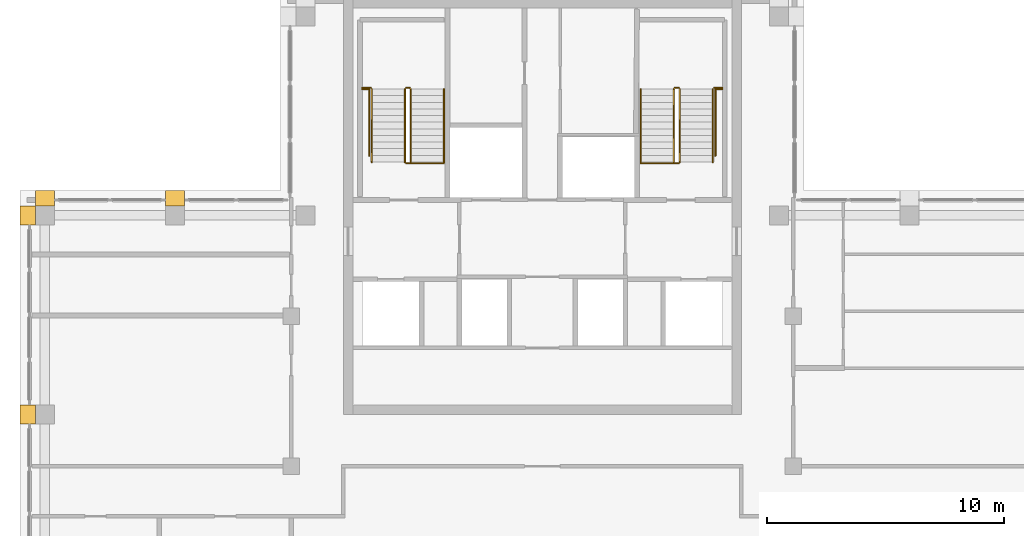
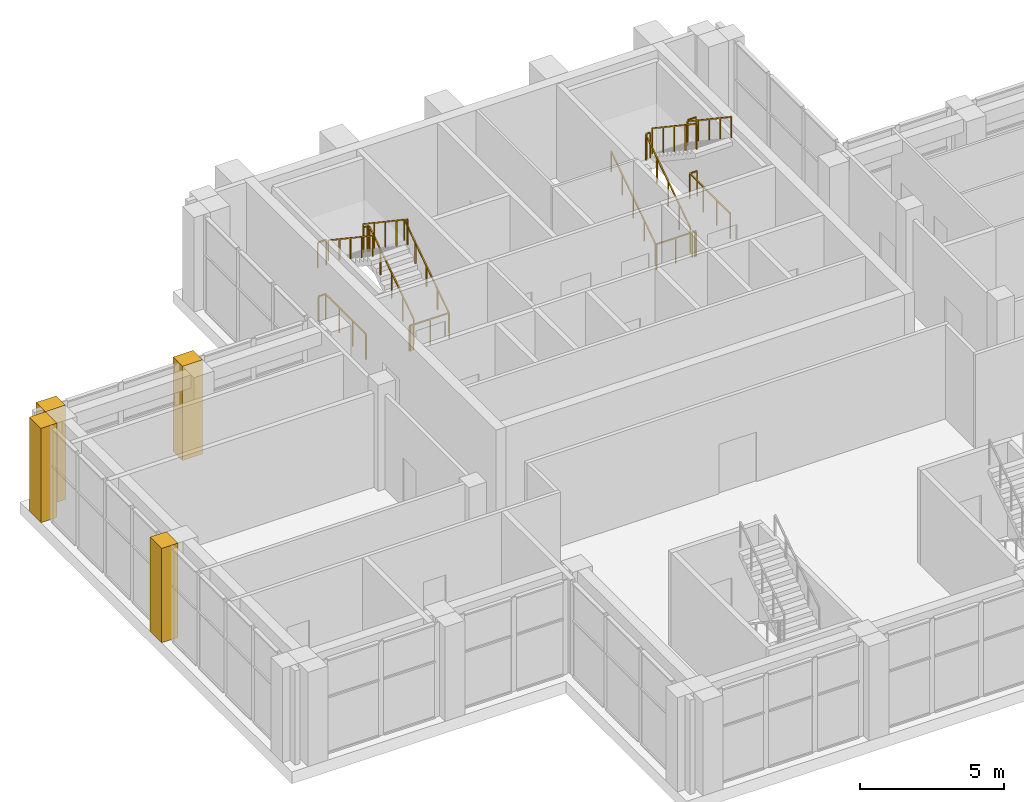
# One storey, part 13 of 14: 16 railings, 4 coverings.
"""IFC4 building model written with IfcOpenShell, lengths in metres."""

from ifc_helpers import new_model, si_unit, direction, frame, origin, origin_2d, place, context, subcontext, project, spatial, polyline, rectangle, outline, extrude, material, type_object, element, save


model = new_model("IFC4")

# Units and contexts
model_context = context("Model", 3, precision=1e-05, world=origin(), true_north=direction((0.0, 1.0)))
body_context = subcontext(model_context, "Body", "Model", "MODEL_VIEW")
ifc_project = project(units=[si_unit("LENGTHUNIT", "METRE"), si_unit("AREAUNIT", "SQUARE_METRE"), si_unit("VOLUMEUNIT", "CUBIC_METRE"), si_unit("PLANEANGLEUNIT", "RADIAN"), si_unit("MASSUNIT", "GRAM", prefix="KILO")], contexts=[model_context])

# Site, building, storey
site_placement = place(None, origin())
site = spatial("IfcSite", under=ifc_project, at=site_placement, CompositionType="ELEMENT")
building_placement = place(site_placement, origin())
building = spatial("IfcBuilding", under=site, at=building_placement, Name="Vermilion Ogive Tower", CompositionType="ELEMENT")
storey_placement = place(building_placement, frame((0.0, 0.0, 273.85009765625)))
storey = spatial("IfcBuildingStorey", under=building, at=storey_placement, Name="L72", CompositionType="ELEMENT", Elevation=273.85009765625)

# Railings
ifc_material_1 = material(Name="Steel S355 painted", Category="steel")
railing_type_1 = type_object("IfcRailingType", Name="Stair guard 1100", PredefinedType="GUARDRAIL", material=ifc_material_1)
railing_1_placement = place(storey_placement, frame((-5.550048828125, 14.85009765625, 0.1875)))
element("IfcRailing", 1, at=railing_1_placement, inside=storey, type_object=railing_type_1, Name="L72 ST1 stair guard 1", PredefinedType="GUARDRAIL", context=body_context, shape_type="SweptSolid", body=[
    extrude(rectangle(XDim=0.048095703125, YDim=0.048095703125, at=origin_2d()), frame((0.0, 0.0, 1.076171875), z_axis=(0.0, 0.830893310487, 0.556431762742), x_axis=(-1.0, 0.0, 0.0)), (0.0, 0.0, 1.0), 3.70654296875),
    extrude(rectangle(XDim=0.048095703125, YDim=0.048095703125, at=origin_2d()), frame((0.0, 3.079833984375, 3.138671875), z_axis=(-0.707106781187, 0.707106781187, 0.0), x_axis=(-0.707106781187, -0.707106781187, 0.0)), (0.0, 0.0, 1.0), 0.07080078125),
    extrude(rectangle(XDim=0.048095703125, YDim=0.048095703125, at=origin_2d()), frame((-0.050048828125, 3.1298828125, 3.138671875), z_axis=(-1.0, 0.0, 0.0), x_axis=(0.0, -1.0, 0.0)), (0.0, 0.0, 1.0), 0.14990234375),
    extrude(rectangle(XDim=0.0419921875, YDim=0.0419921875, at=origin_2d()), origin(), (0.0, 0.0, 1.0), 1.052001953125),
    extrude(rectangle(XDim=0.0419921875, YDim=0.0419921875, at=origin_2d()), frame((0.0, 0.77001953125, 0.515625)), (0.0, 0.0, 1.0), 1.052001953125),
    extrude(rectangle(XDim=0.0419921875, YDim=0.0419921875, at=origin_2d()), frame((0.0, 1.5400390625, 1.03125)), (0.0, 0.0, 1.0), 1.052001953125),
    extrude(rectangle(XDim=0.0419921875, YDim=0.0419921875, at=origin_2d()), frame((0.0, 2.309814453125, 1.546875)), (0.0, 0.0, 1.0), 1.052001953125),
    extrude(rectangle(XDim=0.0419921875, YDim=0.0419921875, at=origin_2d()), frame((0.0, 3.079833984375, 2.0625)), (0.0, 0.0, 1.0), 1.052001953125),
    extrude(rectangle(XDim=0.0419921875, YDim=0.0419921875, at=origin_2d()), frame((-0.050048828125, 3.1298828125, 2.0625)), (0.0, 0.0, 1.0), 1.052001953125),
    extrude(rectangle(XDim=0.0419921875, YDim=0.0419921875, at=origin_2d()), frame((-0.199951171875, 3.1298828125, 2.0625)), (0.0, 0.0, 1.0), 1.052001953125),
])
railing_2_placement = place(storey_placement, frame((-5.800048828125, 17.929931640625, 2.4375)))
element("IfcRailing", 2, at=railing_2_placement, inside=storey, type_object=railing_type_1, Name="L72 ST1 stair guard 3", PredefinedType="GUARDRAIL", context=body_context, shape_type="SweptSolid", body=[
    extrude(rectangle(XDim=0.048095703125, YDim=0.048095703125, at=origin_2d()), frame((0.0, 0.0, 1.076171875), z_axis=(0.0, -0.830893310487, 0.556431762742), x_axis=(1.0, 0.0, 0.0)), (0.0, 0.0, 1.0), 3.70654296875),
    extrude(rectangle(XDim=0.0419921875, YDim=0.0419921875, at=origin_2d()), origin(), (0.0, 0.0, 1.0), 1.052001953125),
    extrude(rectangle(XDim=0.0419921875, YDim=0.0419921875, at=origin_2d()), frame((0.0, -0.77001953125, 0.515625)), (0.0, 0.0, 1.0), 1.052001953125),
    extrude(rectangle(XDim=0.0419921875, YDim=0.0419921875, at=origin_2d()), frame((0.0, -1.5400390625, 1.03125)), (0.0, 0.0, 1.0), 1.052001953125),
    extrude(rectangle(XDim=0.0419921875, YDim=0.0419921875, at=origin_2d()), frame((0.0, -2.309814453125, 1.546875)), (0.0, 0.0, 1.0), 1.052001953125),
    extrude(rectangle(XDim=0.0419921875, YDim=0.0419921875, at=origin_2d()), frame((0.0, -3.079833984375, 2.0625)), (0.0, 0.0, 1.0), 1.052001953125),
])
railing_3_placement = place(storey_placement, frame((-5.60009765625, 14.800048828125, 0.0)))
element("IfcRailing", 3, at=railing_3_placement, inside=storey, type_object=railing_type_1, Name="L72 ST1 stair guard 4", PredefinedType="GUARDRAIL", context=body_context, shape_type="SweptSolid", body=[
    extrude(rectangle(XDim=0.048095703125, YDim=0.048095703125, at=origin_2d()), frame((0.0, 0.0, 1.076171875), z_axis=(-1.0, 0.0, 0.0), x_axis=(0.0, -1.0, 0.0)), (0.0, 0.0, 1.0), 0.14990234375),
    extrude(rectangle(XDim=0.0419921875, YDim=0.0419921875, at=origin_2d()), origin(), (0.0, 0.0, 1.0), 1.052001953125),
    extrude(rectangle(XDim=0.0419921875, YDim=0.0419921875, at=origin_2d()), frame((-0.14990234375, 0.0, 0.0)), (0.0, 0.0, 1.0), 1.052001953125),
])
railing_4_placement = place(storey_placement, frame((5.550048828125, 14.85009765625, 0.1875)))
element("IfcRailing", 4, at=railing_4_placement, inside=storey, type_object=railing_type_1, Name="L72 ST2 stair guard 1", PredefinedType="GUARDRAIL", context=body_context, shape_type="SweptSolid", body=[
    extrude(rectangle(XDim=0.048095703125, YDim=0.048095703125, at=origin_2d()), frame((0.0, 0.0, 1.076171875), z_axis=(0.0, 0.830893310487, 0.556431762742), x_axis=(-1.0, 0.0, 0.0)), (0.0, 0.0, 1.0), 3.70654296875),
    extrude(rectangle(XDim=0.048095703125, YDim=0.048095703125, at=origin_2d()), frame((0.0, 3.079833984375, 3.138671875), z_axis=(0.707106781187, 0.707106781187, 0.0), x_axis=(-0.707106781187, 0.707106781187, 0.0)), (0.0, 0.0, 1.0), 0.07080078125),
    extrude(rectangle(XDim=0.048095703125, YDim=0.048095703125, at=origin_2d()), frame((0.050048828125, 3.1298828125, 3.138671875), z_axis=(1.0, 0.0, 0.0), x_axis=(0.0, 1.0, 0.0)), (0.0, 0.0, 1.0), 0.14990234375),
    extrude(rectangle(XDim=0.0419921875, YDim=0.0419921875, at=origin_2d()), origin(), (0.0, 0.0, 1.0), 1.052001953125),
    extrude(rectangle(XDim=0.0419921875, YDim=0.0419921875, at=origin_2d()), frame((0.0, 0.77001953125, 0.515625)), (0.0, 0.0, 1.0), 1.052001953125),
    extrude(rectangle(XDim=0.0419921875, YDim=0.0419921875, at=origin_2d()), frame((0.0, 1.5400390625, 1.03125)), (0.0, 0.0, 1.0), 1.052001953125),
    extrude(rectangle(XDim=0.0419921875, YDim=0.0419921875, at=origin_2d()), frame((0.0, 2.309814453125, 1.546875)), (0.0, 0.0, 1.0), 1.052001953125),
    extrude(rectangle(XDim=0.0419921875, YDim=0.0419921875, at=origin_2d()), frame((0.0, 3.079833984375, 2.0625)), (0.0, 0.0, 1.0), 1.052001953125),
    extrude(rectangle(XDim=0.0419921875, YDim=0.0419921875, at=origin_2d()), frame((0.050048828125, 3.1298828125, 2.0625)), (0.0, 0.0, 1.0), 1.052001953125),
    extrude(rectangle(XDim=0.0419921875, YDim=0.0419921875, at=origin_2d()), frame((0.199951171875, 3.1298828125, 2.0625)), (0.0, 0.0, 1.0), 1.052001953125),
])
railing_5_placement = place(storey_placement, frame((5.800048828125, 17.929931640625, 2.4375)))
element("IfcRailing", 5, at=railing_5_placement, inside=storey, type_object=railing_type_1, Name="L72 ST2 stair guard 3", PredefinedType="GUARDRAIL", context=body_context, shape_type="SweptSolid", body=[
    extrude(rectangle(XDim=0.048095703125, YDim=0.048095703125, at=origin_2d()), frame((0.0, 0.0, 1.076171875), z_axis=(0.0, -0.830893310487, 0.556431762742), x_axis=(1.0, 0.0, 0.0)), (0.0, 0.0, 1.0), 3.70654296875),
    extrude(rectangle(XDim=0.0419921875, YDim=0.0419921875, at=origin_2d()), origin(), (0.0, 0.0, 1.0), 1.052001953125),
    extrude(rectangle(XDim=0.0419921875, YDim=0.0419921875, at=origin_2d()), frame((0.0, -0.77001953125, 0.515625)), (0.0, 0.0, 1.0), 1.052001953125),
    extrude(rectangle(XDim=0.0419921875, YDim=0.0419921875, at=origin_2d()), frame((0.0, -1.5400390625, 1.03125)), (0.0, 0.0, 1.0), 1.052001953125),
    extrude(rectangle(XDim=0.0419921875, YDim=0.0419921875, at=origin_2d()), frame((0.0, -2.309814453125, 1.546875)), (0.0, 0.0, 1.0), 1.052001953125),
    extrude(rectangle(XDim=0.0419921875, YDim=0.0419921875, at=origin_2d()), frame((0.0, -3.079833984375, 2.0625)), (0.0, 0.0, 1.0), 1.052001953125),
])
railing_6_placement = place(storey_placement, frame((5.60009765625, 14.800048828125, 0.0)))
element("IfcRailing", 6, at=railing_6_placement, inside=storey, type_object=railing_type_1, Name="L72 ST2 stair guard 4", PredefinedType="GUARDRAIL", context=body_context, shape_type="SweptSolid", body=[
    extrude(rectangle(XDim=0.048095703125, YDim=0.048095703125, at=origin_2d()), frame((0.0, 0.0, 1.076171875), z_axis=(1.0, 0.0, 0.0), x_axis=(0.0, 1.0, 0.0)), (0.0, 0.0, 1.0), 0.14990234375),
    extrude(rectangle(XDim=0.0419921875, YDim=0.0419921875, at=origin_2d()), origin(), (0.0, 0.0, 1.0), 1.052001953125),
    extrude(rectangle(XDim=0.0419921875, YDim=0.0419921875, at=origin_2d()), frame((0.14990234375, 0.0, 0.0)), (0.0, 0.0, 1.0), 1.052001953125),
])
for number, where, name in (
    (7, (-7.60009765625, 17.97998046875, 2.25), "L72 landing guard"),
    (8, (7.25, 17.97998046875, 2.25), "L72 landing guard"),
):
    element("IfcRailing", number, at=place(storey_placement, frame(where)), inside=storey, type_object=railing_type_1, Name=name, PredefinedType="GUARDRAIL", context=body_context, shape_type="SweptSolid", body=[
        extrude(rectangle(XDim=0.048095703125, YDim=0.048095703125, at=origin_2d()), frame((0.0, 0.0, 1.076171875), z_axis=(1.0, 0.0, 0.0), x_axis=(0.0, 1.0, 0.0)), (0.0, 0.0, 1.0), 0.35009765625),
        extrude(rectangle(XDim=0.0419921875, YDim=0.0419921875, at=origin_2d()), origin(), (0.0, 0.0, 1.0), 1.052001953125),
        extrude(rectangle(XDim=0.0419921875, YDim=0.0419921875, at=origin_2d()), frame((0.35009765625, 0.0, 0.0)), (0.0, 0.0, 1.0), 1.052001953125),
    ])
railing_7_placement = place(storey_placement, frame((-4.159912109375, 14.7900390625, 0.0)))
element("IfcRailing", 9, at=railing_7_placement, inside=storey, type_object=railing_type_1, Name="L72 stair opening guard", PredefinedType="GUARDRAIL", context=body_context, shape_type="SweptSolid", body=[
    extrude(rectangle(XDim=0.048095703125, YDim=0.048095703125, at=origin_2d()), frame((0.0, 0.0, 1.076171875), z_axis=(-1.0, 0.0, 0.0), x_axis=(0.0, -1.0, 0.0)), (0.0, 0.0, 1.0), 1.5400390625),
    extrude(rectangle(XDim=0.0419921875, YDim=0.0419921875, at=origin_2d()), origin(), (0.0, 0.0, 1.0), 1.052001953125),
    extrude(rectangle(XDim=0.0419921875, YDim=0.0419921875, at=origin_2d()), frame((-0.77001953125, 0.0, 0.0)), (0.0, 0.0, 1.0), 1.052001953125),
    extrude(rectangle(XDim=0.0419921875, YDim=0.0419921875, at=origin_2d()), frame((-1.5400390625, 0.0, 0.0)), (0.0, 0.0, 1.0), 1.052001953125),
])
railing_8_placement = place(storey_placement, frame((-7.309814453125, 15.119384765625, 0.0)))
element("IfcRailing", 10, at=railing_8_placement, inside=storey, type_object=railing_type_1, Name="L72 stair opening guard", PredefinedType="GUARDRAIL", context=body_context, shape_type="SweptSolid", body=[
    extrude(rectangle(XDim=0.048095703125, YDim=0.048095703125, at=origin_2d()), frame((0.0, 0.0, 1.076171875), z_axis=(0.0, 1.0, 0.0), x_axis=(-1.0, 0.0, 0.0)), (0.0, 0.0, 1.0), 2.804443359375),
    extrude(rectangle(XDim=0.048095703125, YDim=0.048095703125, at=origin_2d()), frame((0.0, 2.804443359375, 1.076171875), z_axis=(-1.0, 0.0, 0.0), x_axis=(0.0, -1.0, 0.0)), (0.0, 0.0, 1.0), 0.289794921875),
    extrude(rectangle(XDim=0.0419921875, YDim=0.0419921875, at=origin_2d()), origin(), (0.0, 0.0, 1.0), 1.052001953125),
    extrude(rectangle(XDim=0.0419921875, YDim=0.0419921875, at=origin_2d()), frame((0.0, 0.934814453125, 0.0)), (0.0, 0.0, 1.0), 1.052001953125),
    extrude(rectangle(XDim=0.0419921875, YDim=0.0419921875, at=origin_2d()), frame((0.0, 1.86962890625, 0.0)), (0.0, 0.0, 1.0), 1.052001953125),
    extrude(rectangle(XDim=0.0419921875, YDim=0.0419921875, at=origin_2d()), frame((0.0, 2.804443359375, 0.0)), (0.0, 0.0, 1.0), 1.052001953125),
    extrude(rectangle(XDim=0.0419921875, YDim=0.0419921875, at=origin_2d()), frame((-0.289794921875, 2.804443359375, 0.0)), (0.0, 0.0, 1.0), 1.052001953125),
])
railing_9_placement = place(storey_placement, frame((7.599609375, 17.923828125, 0.0)))
element("IfcRailing", 11, at=railing_9_placement, inside=storey, type_object=railing_type_1, Name="L72 stair opening guard", PredefinedType="GUARDRAIL", context=body_context, shape_type="SweptSolid", body=[
    extrude(rectangle(XDim=0.048095703125, YDim=0.048095703125, at=origin_2d()), frame((0.0, 0.0, 1.076171875), z_axis=(-1.0, 0.0, 0.0), x_axis=(0.0, -1.0, 0.0)), (0.0, 0.0, 1.0), 0.289794921875),
    extrude(rectangle(XDim=0.048095703125, YDim=0.048095703125, at=origin_2d()), frame((-0.289794921875, 0.0, 1.076171875), z_axis=(0.0, -1.0, 0.0), x_axis=(1.0, 0.0, 0.0)), (0.0, 0.0, 1.0), 2.804443359375),
    extrude(rectangle(XDim=0.0419921875, YDim=0.0419921875, at=origin_2d()), origin(), (0.0, 0.0, 1.0), 1.052001953125),
    extrude(rectangle(XDim=0.0419921875, YDim=0.0419921875, at=origin_2d()), frame((-0.289794921875, 0.0, 0.0)), (0.0, 0.0, 1.0), 1.052001953125),
    extrude(rectangle(XDim=0.0419921875, YDim=0.0419921875, at=origin_2d()), frame((-0.289794921875, -0.934814453125, 0.0)), (0.0, 0.0, 1.0), 1.052001953125),
    extrude(rectangle(XDim=0.0419921875, YDim=0.0419921875, at=origin_2d()), frame((-0.289794921875, -1.86962890625, 0.0)), (0.0, 0.0, 1.0), 1.052001953125),
    extrude(rectangle(XDim=0.0419921875, YDim=0.0419921875, at=origin_2d()), frame((-0.289794921875, -2.804443359375, 0.0)), (0.0, 0.0, 1.0), 1.052001953125),
])
railing_10_placement = place(storey_placement, frame((5.699951171875, 14.7900390625, 0.0)))
element("IfcRailing", 12, at=railing_10_placement, inside=storey, type_object=railing_type_1, Name="L72 stair opening guard", PredefinedType="GUARDRAIL", context=body_context, shape_type="SweptSolid", body=[
    extrude(rectangle(XDim=0.048095703125, YDim=0.048095703125, at=origin_2d()), frame((0.0, 0.0, 1.076171875), z_axis=(-1.0, 0.0, 0.0), x_axis=(0.0, -1.0, 0.0)), (0.0, 0.0, 1.0), 1.5400390625),
    extrude(rectangle(XDim=0.0419921875, YDim=0.0419921875, at=origin_2d()), origin(), (0.0, 0.0, 1.0), 1.052001953125),
    extrude(rectangle(XDim=0.0419921875, YDim=0.0419921875, at=origin_2d()), frame((-0.77001953125, 0.0, 0.0)), (0.0, 0.0, 1.0), 1.052001953125),
    extrude(rectangle(XDim=0.0419921875, YDim=0.0419921875, at=origin_2d()), frame((-1.5400390625, 0.0, 0.0)), (0.0, 0.0, 1.0), 1.052001953125),
])
ifc_material_2 = material(Name="Stainless steel", Category="steel")
railing_type_2 = type_object("IfcRailingType", Name="Stair handrail 900", PredefinedType="HANDRAIL", material=ifc_material_2)
railing_11_placement = place(storey_placement, frame((-4.14990234375, 14.85009765625, 0.1875)))
element("IfcRailing", 13, at=railing_11_placement, inside=storey, type_object=railing_type_2, Name="L72 ST1 stair handrail 1", PredefinedType="HANDRAIL", context=body_context, shape_type="SweptSolid", body=[
    extrude(rectangle(XDim=0.048095703125, YDim=0.048095703125, at=origin_2d()), frame((0.0, 0.0, 0.8759765625), z_axis=(0.0, 0.830893310487, 0.556431762742), x_axis=(-1.0, 0.0, 0.0)), (0.0, 0.0, 1.0), 3.70654296875),
    extrude(rectangle(XDim=0.0419921875, YDim=0.0419921875, at=origin_2d()), origin(), (0.0, 0.0, 1.0), 0.851806640625),
    extrude(rectangle(XDim=0.0419921875, YDim=0.0419921875, at=origin_2d()), frame((0.0, 0.77001953125, 0.515625)), (0.0, 0.0, 1.0), 0.851806640625),
    extrude(rectangle(XDim=0.0419921875, YDim=0.0419921875, at=origin_2d()), frame((0.0, 1.5400390625, 1.03125)), (0.0, 0.0, 1.0), 0.851806640625),
    extrude(rectangle(XDim=0.0419921875, YDim=0.0419921875, at=origin_2d()), frame((0.0, 2.309814453125, 1.546875)), (0.0, 0.0, 1.0), 0.851806640625),
    extrude(rectangle(XDim=0.0419921875, YDim=0.0419921875, at=origin_2d()), frame((0.0, 3.079833984375, 2.0625)), (0.0, 0.0, 1.0), 0.851806640625),
])
railing_12_placement = place(storey_placement, frame((-7.199951171875, 17.929931640625, 2.4375)))
element("IfcRailing", 14, at=railing_12_placement, inside=storey, type_object=railing_type_2, Name="L72 ST1 stair handrail 2", PredefinedType="HANDRAIL", context=body_context, shape_type="SweptSolid", body=[
    extrude(rectangle(XDim=0.048095703125, YDim=0.048095703125, at=origin_2d()), frame((0.0, 0.0, 0.8759765625), z_axis=(0.0, -0.830893310487, 0.556431762742), x_axis=(1.0, 0.0, 0.0)), (0.0, 0.0, 1.0), 3.70654296875),
    extrude(rectangle(XDim=0.0419921875, YDim=0.0419921875, at=origin_2d()), origin(), (0.0, 0.0, 1.0), 0.851806640625),
    extrude(rectangle(XDim=0.0419921875, YDim=0.0419921875, at=origin_2d()), frame((0.0, -0.77001953125, 0.515625)), (0.0, 0.0, 1.0), 0.851806640625),
    extrude(rectangle(XDim=0.0419921875, YDim=0.0419921875, at=origin_2d()), frame((0.0, -1.5400390625, 1.03125)), (0.0, 0.0, 1.0), 0.851806640625),
    extrude(rectangle(XDim=0.0419921875, YDim=0.0419921875, at=origin_2d()), frame((0.0, -2.309814453125, 1.546875)), (0.0, 0.0, 1.0), 0.851806640625),
    extrude(rectangle(XDim=0.0419921875, YDim=0.0419921875, at=origin_2d()), frame((0.0, -3.079833984375, 2.0625)), (0.0, 0.0, 1.0), 0.851806640625),
])
railing_13_placement = place(storey_placement, frame((4.14990234375, 14.85009765625, 0.1875)))
element("IfcRailing", 15, at=railing_13_placement, inside=storey, type_object=railing_type_2, Name="L72 ST2 stair handrail 1", PredefinedType="HANDRAIL", context=body_context, shape_type="SweptSolid", body=[
    extrude(rectangle(XDim=0.048095703125, YDim=0.048095703125, at=origin_2d()), frame((0.0, 0.0, 0.8759765625), z_axis=(0.0, 0.830893310487, 0.556431762742), x_axis=(-1.0, 0.0, 0.0)), (0.0, 0.0, 1.0), 3.70654296875),
    extrude(rectangle(XDim=0.0419921875, YDim=0.0419921875, at=origin_2d()), origin(), (0.0, 0.0, 1.0), 0.851806640625),
    extrude(rectangle(XDim=0.0419921875, YDim=0.0419921875, at=origin_2d()), frame((0.0, 0.77001953125, 0.515625)), (0.0, 0.0, 1.0), 0.851806640625),
    extrude(rectangle(XDim=0.0419921875, YDim=0.0419921875, at=origin_2d()), frame((0.0, 1.5400390625, 1.03125)), (0.0, 0.0, 1.0), 0.851806640625),
    extrude(rectangle(XDim=0.0419921875, YDim=0.0419921875, at=origin_2d()), frame((0.0, 2.309814453125, 1.546875)), (0.0, 0.0, 1.0), 0.851806640625),
    extrude(rectangle(XDim=0.0419921875, YDim=0.0419921875, at=origin_2d()), frame((0.0, 3.079833984375, 2.0625)), (0.0, 0.0, 1.0), 0.851806640625),
])
railing_14_placement = place(storey_placement, frame((7.199951171875, 17.929931640625, 2.4375)))
element("IfcRailing", 16, at=railing_14_placement, inside=storey, type_object=railing_type_2, Name="L72 ST2 stair handrail 2", PredefinedType="HANDRAIL", context=body_context, shape_type="SweptSolid", body=[
    extrude(rectangle(XDim=0.048095703125, YDim=0.048095703125, at=origin_2d()), frame((0.0, 0.0, 0.8759765625), z_axis=(0.0, -0.830893310487, 0.556431762742), x_axis=(1.0, 0.0, 0.0)), (0.0, 0.0, 1.0), 3.70654296875),
    extrude(rectangle(XDim=0.0419921875, YDim=0.0419921875, at=origin_2d()), origin(), (0.0, 0.0, 1.0), 0.851806640625),
    extrude(rectangle(XDim=0.0419921875, YDim=0.0419921875, at=origin_2d()), frame((0.0, -0.77001953125, 0.515625)), (0.0, 0.0, 1.0), 0.851806640625),
    extrude(rectangle(XDim=0.0419921875, YDim=0.0419921875, at=origin_2d()), frame((0.0, -1.5400390625, 1.03125)), (0.0, 0.0, 1.0), 0.851806640625),
    extrude(rectangle(XDim=0.0419921875, YDim=0.0419921875, at=origin_2d()), frame((0.0, -2.309814453125, 1.546875)), (0.0, 0.0, 1.0), 0.851806640625),
    extrude(rectangle(XDim=0.0419921875, YDim=0.0419921875, at=origin_2d()), frame((0.0, -3.079833984375, 2.0625)), (0.0, 0.0, 1.0), 0.851806640625),
])

# Coverings
ifc_material_3 = material(Name="Stone cladding", Category="masonry")
covering_type = type_object("IfcCoveringType", Name="Stone pier", PredefinedType="CLADDING", material=ifc_material_3)
covering_1_placement = place(storey_placement, origin())
element("IfcCovering", 17, at=covering_1_placement, inside=storey, type_object=covering_type, Name="Stone pier P-0155+126", PredefinedType="CLADDING", context=body_context, shape_type="SweptSolid", body=[
    extrude(outline(polyline([(-15.89990234375, 13.64990234375), (-15.10009765625, 13.64990234375), (-15.10009765625, 13.0), (-15.89990234375, 13.0), (-15.89990234375, 13.64990234375)])), origin(), (0.0, 0.0, 1.0), 4.0),
])
covering_2_placement = place(storey_placement, origin())
element("IfcCovering", 18, at=covering_2_placement, inside=storey, type_object=covering_type, Name="Stone pier P-0210+042", PredefinedType="CLADDING", context=body_context, shape_type="SweptSolid", body=[
    extrude(outline(polyline([(-21.39990234375, 3.800048828125), (-22.050048828125, 3.800048828125), (-22.050048828125, 4.60009765625), (-21.39990234375, 4.60009765625), (-21.39990234375, 4.60009765625), (-21.39990234375, 3.800048828125)])), origin(), (0.0, 0.0, 1.0), 4.0),
])
covering_3_placement = place(storey_placement, origin())
element("IfcCovering", 19, at=covering_3_placement, inside=storey, type_object=covering_type, Name="Stone pier P-0210+126X6", PredefinedType="CLADDING", context=body_context, shape_type="SweptSolid", body=[
    extrude(outline(polyline([(-21.39990234375, 13.64990234375), (-20.60009765625, 13.64990234375), (-20.60009765625, 13.0), (-21.39990234375, 13.0), (-21.39990234375, 13.64990234375)])), origin(), (0.0, 0.0, 1.0), 4.0),
])
covering_4_placement = place(storey_placement, origin())
element("IfcCovering", 20, at=covering_4_placement, inside=storey, type_object=covering_type, Name="Stone pier P-0210+126W", PredefinedType="CLADDING", context=body_context, shape_type="SweptSolid", body=[
    extrude(outline(polyline([(-22.050048828125, 13.0), (-21.39990234375, 13.0), (-21.39990234375, 12.199951171875), (-22.050048828125, 12.199951171875), (-22.050048828125, 13.0)])), origin(), (0.0, 0.0, 1.0), 4.0),
])

save(model, "model.ifc")
